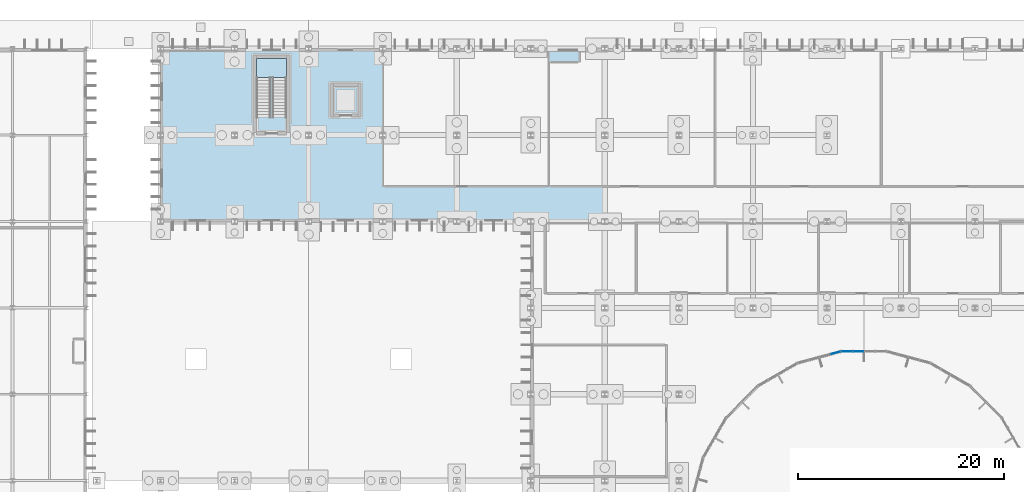
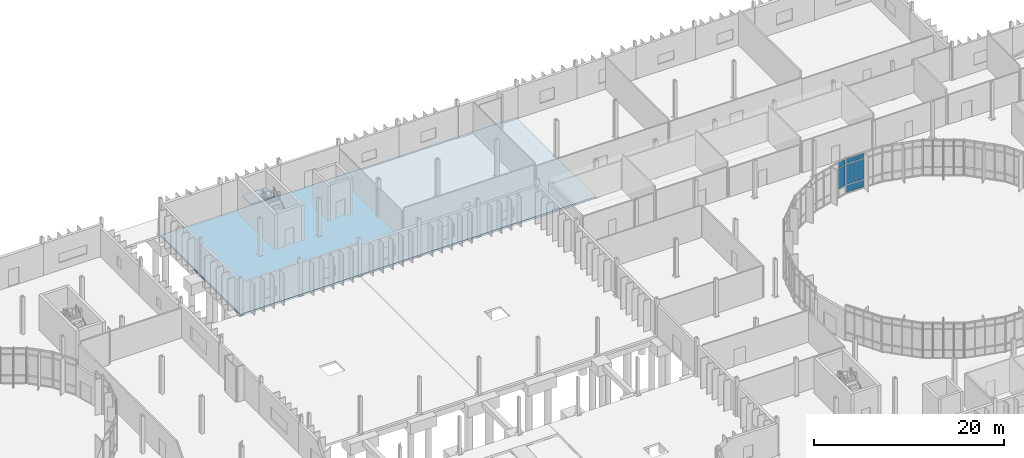
# One storey, part 64 of 118: 8 plates, 2 slabs, 3 elements without a shape of their own.
"""IFC4 building model written with IfcOpenShell, lengths in metres."""

import ifcopenshell
import ifcopenshell.guid

model = None  # the IFC model being written
_history = None  # IfcOwnerHistory: only IFC2X3 demands one
_inside = {}  # id of a spatial element -> (the spatial element, [elements in it])
_under = {}  # id of a project, library or spatial element -> (it, [spatial elements below it])
_declared = {}  # id of a project -> (the project, [libraries it declares])
_typed = {}  # id of a type object -> (the type object, [elements of that type])
_made_of = {}  # id of a material, layer set ... -> (it, [elements and type objects made of it])


def new_model(schema):
    """Start an empty IFC model of exactly this schema.

    Asked for "IFC4X3", IfcOpenShell would pick the latest addendum, in which some entities
    have other attributes; the version numbers below select the first issue.
    IFC2X3 requires an IfcOwnerHistory on every rooted entity: one is made here for all.
    """
    global model, _history
    if schema == "IFC4X3":
        model = ifcopenshell.file(schema_version=(4, 3, 0, 0))
    else:
        model = ifcopenshell.file(schema=schema)
    _inside.clear()
    _under.clear()
    _declared.clear()
    _typed.clear()
    _made_of.clear()
    _history = None
    if model.schema == "IFC2X3":
        org = make("IfcOrganization", Name="unknown")
        user = make(
            "IfcPersonAndOrganization",
            ThePerson=make("IfcPerson", FamilyName="unknown"),
            TheOrganization=org,
        )
        app = make(
            "IfcApplication",
            ApplicationDeveloper=org,
            Version="unknown",
            ApplicationFullName="unknown",
            ApplicationIdentifier="unknown",
        )
        _history = make(
            "IfcOwnerHistory",
            OwningUser=user,
            OwningApplication=app,
            ChangeAction="ADDED",
            CreationDate=0,
        )
    return model


def make(cls, **values):
    """One entity of the class cls with the attributes given. An attribute that is None is left unset."""
    return model.create_entity(
        cls, **{name: value for name, value in values.items() if value is not None}
    )


def rooted(cls, **values):
    """An entity with a GlobalId (a new one), such as an element, a storey or a relation."""
    return make(cls, GlobalId=ifcopenshell.guid.new(), OwnerHistory=_history, **values)


def si_unit(unit_type, name, prefix=None):
    """IfcSIUnit, for example si_unit("LENGTHUNIT", "METRE", prefix="MILLI")."""
    return make("IfcSIUnit", UnitType=unit_type, Prefix=prefix, Name=name)


def assignment(units):
    """IfcUnitAssignment: the units of a project."""
    return None if units is None else make("IfcUnitAssignment", Units=units)


def point(xyz):
    """IfcCartesianPoint."""
    return None if xyz is None else make("IfcCartesianPoint", Coordinates=xyz)


def direction(xyz):
    """IfcDirection."""
    return None if xyz is None else make("IfcDirection", DirectionRatios=xyz)


def frame(location, z_axis=None, x_axis=None):
    """IfcAxis2Placement3D, a coordinate frame: its origin and axes. An axis left out is left unset."""
    return make(
        "IfcAxis2Placement3D",
        Location=point(location),
        Axis=direction(z_axis),
        RefDirection=direction(x_axis),
    )


def frame_2d(location, x_axis=None):
    """IfcAxis2Placement2D, a coordinate frame in the plane: its origin and x axis."""
    return make(
        "IfcAxis2Placement2D", Location=point(location), RefDirection=direction(x_axis)
    )


def origin():
    """The frame at (0, 0, 0) with its axes left unset."""
    return frame((0.0, 0.0, 0.0))


def origin_2d():
    """The frame at (0, 0) in the plane with its x axis left unset."""
    return frame_2d((0.0, 0.0))


def place(relative_to, where):
    """IfcLocalPlacement: puts the frame where relative to a parent placement (None: the world)."""
    return make(
        "IfcLocalPlacement", PlacementRelTo=relative_to, RelativePlacement=where
    )


def context(
    kind, dimensions, precision=None, world=None, true_north=None, identifier=None
):
    """IfcGeometricRepresentationContext, for example the 3D "Model" context."""
    return make(
        "IfcGeometricRepresentationContext",
        ContextIdentifier=identifier,
        ContextType=kind,
        CoordinateSpaceDimension=dimensions,
        Precision=precision,
        WorldCoordinateSystem=world,
        TrueNorth=true_north,
    )


def subcontext(parent, identifier, kind, view, scale=None):
    """IfcGeometricRepresentationSubContext, for example "Body" below "Model"."""
    return make(
        "IfcGeometricRepresentationSubContext",
        ContextIdentifier=identifier,
        ContextType=kind,
        ParentContext=parent,
        TargetScale=scale,
        TargetView=view,
    )


def project(units=None, contexts=None):
    """IfcProject with its units and contexts."""
    return rooted(
        "IfcProject",
        Name="project",
        RepresentationContexts=contexts,
        UnitsInContext=assignment(units),
    )


def spatial(cls, under=None, at=None, **own):
    """A site, building, storey or space (cls), placed at a placement, below another one or the project."""
    s = rooted(cls, ObjectPlacement=at, **own)
    if under is not None:
        _under.setdefault(under.id(), (under, []))[1].append(s)
    return s


def polyline(points):
    """IfcPolyline through the points."""
    return make("IfcPolyline", Points=[point(p) for p in points])


def profile(cls, at=None, kind="AREA", **sizes):
    """A parametric profile (cls). Its sizes go by their IFC names, for example OverallWidth=200.0."""
    return make(cls, ProfileType=kind, Position=at, **sizes)


def rectangle(**sizes):
    """IfcRectangleProfileDef."""
    return profile("IfcRectangleProfileDef", **sizes)


def outline(outer, holes=None, kind="AREA"):
    """IfcArbitraryClosedProfileDef: a profile drawn as a closed curve; with holes, ...WithVoids."""
    if holes is None:
        return make("IfcArbitraryClosedProfileDef", ProfileType=kind, OuterCurve=outer)
    return make(
        "IfcArbitraryProfileDefWithVoids",
        ProfileType=kind,
        OuterCurve=outer,
        InnerCurves=holes,
    )


def extrude(swept, where, along, depth):
    """IfcExtrudedAreaSolid: the profile swept, set in the frame where, extruded along a direction by depth."""
    return make(
        "IfcExtrudedAreaSolid",
        SweptArea=swept,
        Position=where,
        ExtrudedDirection=direction(along),
        Depth=depth,
    )


def shape(context_of_items, identifier, shape_type, items):
    """IfcShapeRepresentation: the items that make up one representation, for example the "Body"."""
    return make(
        "IfcShapeRepresentation",
        ContextOfItems=context_of_items,
        RepresentationIdentifier=identifier,
        RepresentationType=shape_type,
        Items=items,
    )


def material(Name=None, Category=None):
    """IfcMaterial."""
    return make("IfcMaterial", Name=Name, Category=Category)


def layer(
    of_material, thickness, ventilated=None, Name=None, Category=None, Priority=None
):
    """IfcMaterialLayer: one layer of a wall or slab, of a material (None: an air gap)."""
    return make(
        "IfcMaterialLayer",
        Material=of_material,
        LayerThickness=thickness,
        IsVentilated=ventilated,
        Name=Name,
        Category=Category,
        Priority=Priority,
    )


def layer_set(layers, Name=None):
    """IfcMaterialLayerSet."""
    return make("IfcMaterialLayerSet", MaterialLayers=layers, LayerSetName=Name)


def made_of(thing, what):
    """Note that an element or type object is made of a material, layer set ...; save() writes the relation."""
    if what is not None:
        _made_of.setdefault(what.id(), (what, []))[1].append(thing)
    return thing


def type_object(cls, material=None, **own):
    """A type object (cls), such as IfcWallType, which elements share."""
    return made_of(rooted(cls, **own), material)


def element(
    cls,
    number,
    at=None,
    inside=None,
    cuts=None,
    type_object=None,
    material=None,
    context=None,
    identifier="Body",
    shape_type=None,
    held_by="IfcProductDefinitionShape",
    body=None,
    shapes=None,
    **own,
):
    """One element of the class cls, such as IfcWall. Its Tag is "e" and its number.

    at: its placement. inside: the storey or other place that contains it. cuts: it is an
    opening in that element (IfcRelVoidsElement). A single representation is given by context,
    identifier, shape_type and body (its items); several are given by shapes. held_by: the class
    of the entity that holds the representations. save() writes the other relations.
    """
    e = rooted(cls, Tag="e%d" % number, ObjectPlacement=at, **own)
    if body is not None:
        shapes = [shape(context, identifier, shape_type, body)]
    if shapes is not None:
        e.Representation = make(held_by, Representations=shapes)
    if inside is not None:
        _inside.setdefault(inside.id(), (inside, []))[1].append(e)
    if cuts is not None:
        rooted(
            "IfcRelVoidsElement", RelatingBuildingElement=cuts, RelatedOpeningElement=e
        )
    if type_object is not None:
        _typed.setdefault(type_object.id(), (type_object, []))[1].append(e)
    return made_of(e, material)


def aggregate(whole, parts):
    """IfcRelAggregates: a whole, such as a stair, and the parts it consists of."""
    return rooted("IfcRelAggregates", RelatingObject=whole, RelatedObjects=parts)


def save(model, path):
    """Write the relations noted so far, then the file.

    IfcRelAggregates (storeys below a building ...), IfcRelContainedInSpatialStructure (elements
    in a storey), IfcRelDefinesByType, IfcRelAssociatesMaterial and IfcRelDeclares: one each for
    every whole, place, type object, material and project.
    """
    for whole, parts in _under.values():
        aggregate(whole, parts)
    for where, things in _inside.values():
        rooted(
            "IfcRelContainedInSpatialStructure",
            RelatedElements=things,
            RelatingStructure=where,
        )
    for kind, things in _typed.values():
        rooted("IfcRelDefinesByType", RelatedObjects=things, RelatingType=kind)
    for what, things in _made_of.values():
        rooted("IfcRelAssociatesMaterial", RelatedObjects=things, RelatingMaterial=what)
    for by, libraries in _declared.values():
        rooted("IfcRelDeclares", RelatingContext=by, RelatedDefinitions=libraries)
    model.write(path)


model = new_model("IFC4")

# Units and contexts
model_context = context("Model", 3, precision=1e-05, world=origin(), true_north=direction((0.0, 1.0)))
body_context = subcontext(model_context, "Body", "Model", "MODEL_VIEW")
ifc_project = project(units=[si_unit("LENGTHUNIT", "METRE"), si_unit("AREAUNIT", "SQUARE_METRE"), si_unit("VOLUMEUNIT", "CUBIC_METRE"), si_unit("PLANEANGLEUNIT", "RADIAN"), si_unit("MASSUNIT", "GRAM", prefix="KILO")], contexts=[model_context])

# Site, building, storey
site_placement = place(None, origin())
site = spatial("IfcSite", under=ifc_project, at=site_placement, CompositionType="ELEMENT")
building_placement = place(site_placement, origin())
building = spatial("IfcBuilding", under=site, at=building_placement, Name="Qelthora Terrace Specialist Clinic", CompositionType="ELEMENT")
storey_placement = place(building_placement, origin())
storey = spatial("IfcBuildingStorey", under=building, at=storey_placement, Name="L00", CompositionType="ELEMENT", Elevation=0.0)

# Curtain wall, plates
ifc_material_1 = material(Name="Aluminium anodized bronze", Category="aluminium")
curtain_wall_type = type_object("IfcCurtainWallType", Name="CW-CRTE-L00", PredefinedType="NOTDEFINED", material=ifc_material_1)
curtain_wall_1_placement = place(storey_placement, origin())
curtain_wall_1 = element("IfcCurtainWall", 1, at=curtain_wall_1_placement, inside=storey, type_object=curtain_wall_type, Name="Curtain wall CW-CE-L00-06", PredefinedType="NOTDEFINED")
ifc_material_2 = material(Name="Low-E triple-silver insulating glass", Category="glass")
ifc_layer_1 = layer(ifc_material_2, 0.035888671875)
ifc_layer_set_1 = layer_set([ifc_layer_1], Name="Low-E triple-silver insulating glass")
plate_type = type_object("IfcPlateType", Name="CWP-IGU-36", PredefinedType="CURTAIN_PANEL", material=ifc_layer_set_1)
plate_1_placement = place(storey_placement, frame((125.451904296875, 79.7763671875, 0.0849609375), z_axis=(0.0, 0.0, 1.0), x_axis=(-1.0, 0.0, 0.0)))
plate_1 = element("IfcPlate", 2, at=plate_1_placement, type_object=plate_type, Name="CW-CE-L00-06 glazed panel 7", PredefinedType="CURTAIN_PANEL", context=body_context, shape_type="SweptSolid", body=[
    extrude(rectangle(XDim=0.996337890625, YDim=0.035888671875, at=origin_2d()), origin(), (0.0, 0.0, 1.0), 0.919921875),
])
plate_2_placement = place(storey_placement, frame((125.451904296875, 79.7763671875, 1.094970703125), z_axis=(0.0, 0.0, 1.0), x_axis=(-1.0, 0.0, 0.0)))
plate_2 = element("IfcPlate", 3, at=plate_2_placement, type_object=plate_type, Name="CW-CE-L00-06 glazed panel 8", PredefinedType="CURTAIN_PANEL", context=body_context, shape_type="SweptSolid", body=[
    extrude(rectangle(XDim=0.996337890625, YDim=0.035888671875, at=origin_2d()), origin(), (0.0, 0.0, 1.0), 2.60498046875),
])
plate_3_placement = place(storey_placement, frame((125.451904296875, 79.7763671875, 3.7900390625), z_axis=(0.0, 0.0, 1.0), x_axis=(-1.0, 0.0, 0.0)))
plate_3 = element("IfcPlate", 4, at=plate_3_placement, type_object=plate_type, Name="CW-CE-L00-06 glazed panel 9", PredefinedType="CURTAIN_PANEL", context=body_context, shape_type="SweptSolid", body=[
    extrude(rectangle(XDim=0.996337890625, YDim=0.035888671875, at=origin_2d()), origin(), (0.0, 0.0, 1.0), 0.669921875),
])
plate_4_placement = place(storey_placement, frame((124.35546875, 79.7763671875, 0.0849609375), z_axis=(0.0, 0.0, 1.0), x_axis=(-1.0, 0.0, 0.0)))
plate_4 = element("IfcPlate", 5, at=plate_4_placement, type_object=plate_type, Name="CW-CE-L00-06 glazed panel 10", PredefinedType="CURTAIN_PANEL", context=body_context, shape_type="SweptSolid", body=[
    extrude(rectangle(XDim=0.996337890625, YDim=0.035888671875, at=origin_2d()), origin(), (0.0, 0.0, 1.0), 0.919921875),
])
plate_5_placement = place(storey_placement, frame((124.35546875, 79.7763671875, 1.094970703125), z_axis=(0.0, 0.0, 1.0), x_axis=(-1.0, 0.0, 0.0)))
plate_5 = element("IfcPlate", 6, at=plate_5_placement, type_object=plate_type, Name="CW-CE-L00-06 glazed panel 11", PredefinedType="CURTAIN_PANEL", context=body_context, shape_type="SweptSolid", body=[
    extrude(rectangle(XDim=0.996337890625, YDim=0.035888671875, at=origin_2d()), origin(), (0.0, 0.0, 1.0), 2.60498046875),
])
plate_6_placement = place(storey_placement, frame((124.35546875, 79.7763671875, 3.7900390625), z_axis=(0.0, 0.0, 1.0), x_axis=(-1.0, 0.0, 0.0)))
plate_6 = element("IfcPlate", 7, at=plate_6_placement, type_object=plate_type, Name="CW-CE-L00-06 glazed panel 12", PredefinedType="CURTAIN_PANEL", context=body_context, shape_type="SweptSolid", body=[
    extrude(rectangle(XDim=0.996337890625, YDim=0.035888671875, at=origin_2d()), origin(), (0.0, 0.0, 1.0), 0.669921875),
])
aggregate(curtain_wall_1, [plate_1, plate_2, plate_3, plate_4, plate_5, plate_6])

curtain_wall_2_placement = place(storey_placement, origin())
curtain_wall_2 = element("IfcCurtainWall", 8, at=curtain_wall_2_placement, inside=storey, type_object=curtain_wall_type, Name="Curtain wall CW-CE-L00-07", PredefinedType="NOTDEFINED")
plate_7_placement = place(storey_placement, frame((123.24658203125, 79.63037109375, 1.094970703125), z_axis=(0.0, 0.0, 1.0), x_axis=(-0.965925826289, -0.258819045103, 0.0)))
plate_7 = element("IfcPlate", 9, at=plate_7_placement, type_object=plate_type, Name="CW-CE-L00-07 glazed panel 2", PredefinedType="CURTAIN_PANEL", context=body_context, shape_type="SweptSolid", body=[
    extrude(rectangle(XDim=0.996337890625, YDim=0.035888671875, at=origin_2d()), origin(), (0.0, 0.0, 1.0), 2.60498046875),
])
plate_8_placement = place(storey_placement, frame((123.24658203125, 79.63037109375, 3.7900390625), z_axis=(0.0, 0.0, 1.0), x_axis=(-0.965925826289, -0.258819045103, 0.0)))
plate_8 = element("IfcPlate", 10, at=plate_8_placement, type_object=plate_type, Name="CW-CE-L00-07 glazed panel 3", PredefinedType="CURTAIN_PANEL", context=body_context, shape_type="SweptSolid", body=[
    extrude(rectangle(XDim=0.996337890625, YDim=0.035888671875, at=origin_2d()), origin(), (0.0, 0.0, 1.0), 0.669921875),
])
aggregate(curtain_wall_2, [plate_7, plate_8])

# Slab
ifc_material_3 = material(Name="Concrete C30/37", Category="concrete")
ifc_layer_2 = layer(ifc_material_3, 0.260009765625)
ifc_layer_set_2 = layer_set([ifc_layer_2], Name="Concrete C30/37")
slab_type_1 = type_object("IfcSlabType", Name="SLB-BASE-260-C30", PredefinedType="BASESLAB", material=ifc_layer_set_2)
slab_1_placement = place(storey_placement, frame((0.0, 0.0, -0.260009765625)))
element("IfcSlab", 11, at=slab_1_placement, inside=storey, type_object=slab_type_1, Name="L00 V6 slab SLB-L00-V6A", PredefinedType="BASESLAB", context=body_context, shape_type="SweptSolid", body=[
    extrude(outline(polyline([(57.60009765625, 109.199951171875), (100.800048828125, 109.199951171875), (100.800048828125, 92.39990234375), (57.60009765625, 92.39990234375), (57.60009765625, 109.199951171875)])), origin(), (0.0, 0.0, 1.0), 0.260009765625),
])

# Stair, slab
stair_type = type_object("IfcStairType", Name="STR-175-300", PredefinedType="HALF_TURN_STAIR", material=ifc_material_3)
stair_placement = place(storey_placement, origin())
stair = element("IfcStair", 12, at=stair_placement, inside=storey, type_object=stair_type, Name="L00 Enclosed Exit Stair ST-07", PredefinedType="HALF_TURN_STAIR")
ifc_layer_3 = layer(ifc_material_3, 0.199951171875)
ifc_layer_set_3 = layer_set([ifc_layer_3], Name="Concrete C30/37")
slab_type_2 = type_object("IfcSlabType", Name="SLB-LAND-200-C30", PredefinedType="LANDING", material=ifc_layer_set_3)
slab_2_placement = place(storey_placement, frame((0.0, 0.0, 2.199951171875)))
slab_2 = element("IfcSlab", 13, at=slab_2_placement, type_object=slab_type_2, Name="ST-07 landing 1", PredefinedType="LANDING", context=body_context, shape_type="SweptSolid", body=[
    extrude(outline(polyline([(69.85009765625, 106.39990234375), (69.85009765625, 108.25), (66.949951171875, 108.25), (66.949951171875, 106.39990234375), (69.85009765625, 106.39990234375)])), origin(), (0.0, 0.0, 1.0), 0.199951171875),
])
aggregate(stair, [slab_2])

save(model, "model.ifc")
